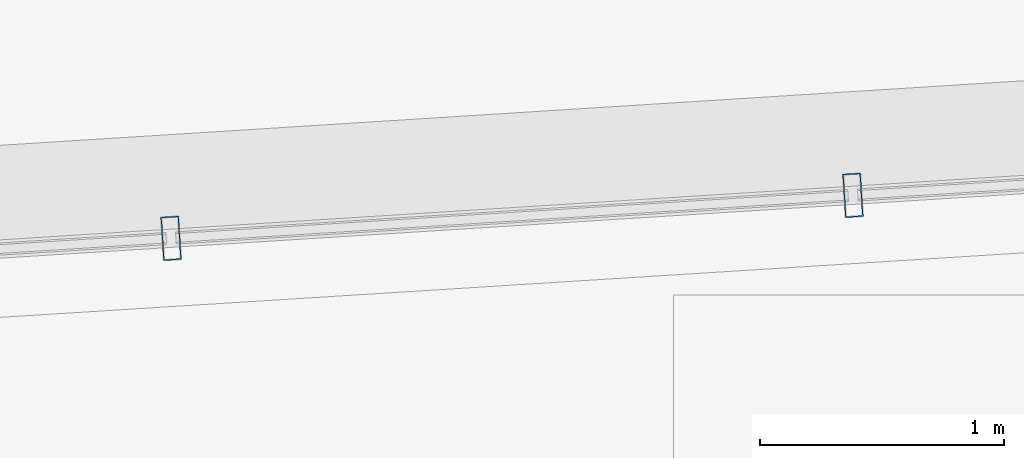
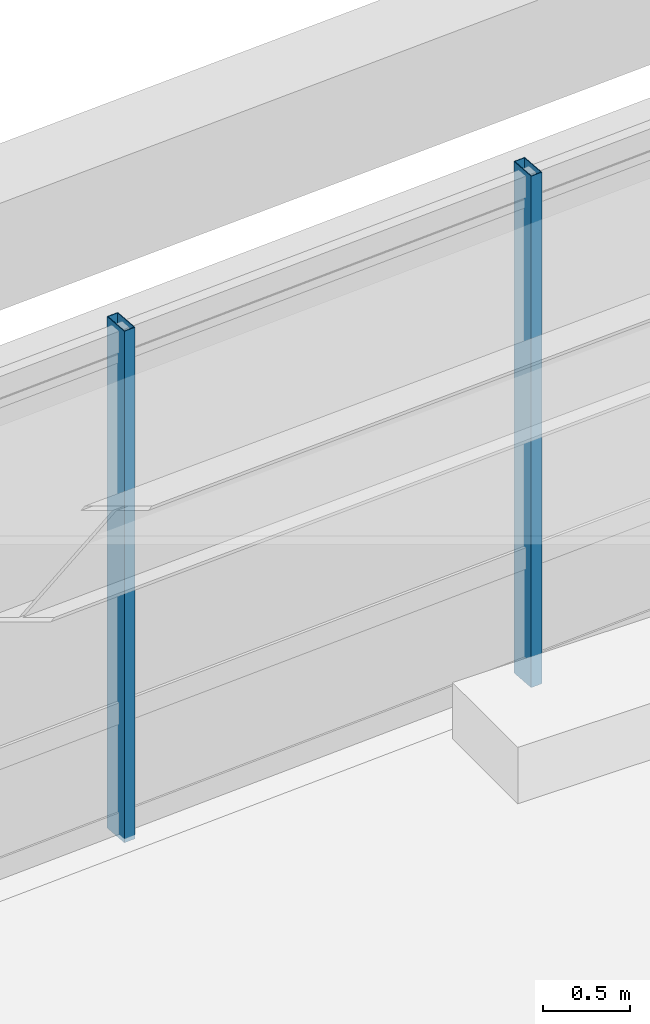
# One storey, part 10 of 20: 2 members, 1 element without a shape of its own.
"""IFC4 building model written with IfcOpenShell, lengths in metres."""

from ifc_helpers import new_model, si_unit, direction, frame, origin, origin_2d, place, context, subcontext, project, spatial, hollow_rectangle, extrude, material, material_profile, profile_set, type_object, element, aggregate, save


model = new_model("IFC4")

# Units and contexts
model_context = context("Model", 3, precision=1e-05, world=origin(), true_north=direction((0.0, 1.0)))
body_context = subcontext(model_context, "Body", "Model", "MODEL_VIEW")
ifc_project = project(units=[si_unit("LENGTHUNIT", "METRE"), si_unit("AREAUNIT", "SQUARE_METRE"), si_unit("VOLUMEUNIT", "CUBIC_METRE"), si_unit("PLANEANGLEUNIT", "RADIAN"), si_unit("MASSUNIT", "GRAM", prefix="KILO")], contexts=[model_context])

# Site, building, storey
site_placement = place(None, origin())
site = spatial("IfcSite", under=ifc_project, at=site_placement, CompositionType="ELEMENT")
building_placement = place(site_placement, origin())
building = spatial("IfcBuilding", under=site, at=building_placement, Name="Zulverin Broadcast Headquarters", CompositionType="ELEMENT")
storey_placement = place(building_placement, frame((0.0, 0.0, 25.0)))
storey = spatial("IfcBuildingStorey", under=building, at=storey_placement, Name="L05", CompositionType="ELEMENT", Elevation=25.0)

# Curtain wall, members
ifc_material_1 = material(Name="Low-zone ribbon unitised curtain wall", Category="aluminium")
curtain_wall_type = type_object("IfcCurtainWallType", Name="CW-TWR-LOW", PredefinedType="USERDEFINED", material=ifc_material_1)
curtain_wall_placement = place(storey_placement, origin())
curtain_wall = element("IfcCurtainWall", 1, at=curtain_wall_placement, inside=storey, type_object=curtain_wall_type, Name="L05 Unitised Curtain Wall CW-L05-E5", ObjectType="UNITISED CURTAIN WALL", PredefinedType="USERDEFINED")
ifc_material_2 = material(Name="Anodized pale-metal aluminium alloy 6063-T6", Category="aluminium")
ifc_material_profile = material_profile(ifc_material_2, hollow_rectangle(XDim=0.074951171875, YDim=0.179931640625, WallThickness=0.0048828125, at=origin_2d()), Name="Anodized pale-metal aluminium alloy 6063-T6", Category="aluminium")
ifc_profile_set = profile_set([ifc_material_profile], Name="Anodized pale-metal aluminium alloy 6063-T6")
member_type = type_object("IfcMemberType", Name="CW-MUL-180", PredefinedType="MULLION", material=ifc_profile_set)
member_1_placement = place(storey_placement, frame((36.635986328125, 48.38330078125, -0.030029296875), z_axis=(0.0, 0.0, 1.0), x_axis=(-0.998017621976, -0.062935095345, 0.0)))
member_1 = element("IfcMember", 2, at=member_1_placement, type_object=member_type, Name="CW-L05-E5 Mullion 04", PredefinedType="MULLION", context=body_context, shape_type="SweptSolid", body=[
    extrude(hollow_rectangle(XDim=0.074951171875, YDim=0.179931640625, WallThickness=0.0048828125, at=origin_2d()), origin(), (0.0, 0.0, 1.0), 3.5849609375),
])
member_2_placement = place(storey_placement, frame((33.83740234375, 48.206787109375, -0.030029296875), z_axis=(0.0, 0.0, 1.0), x_axis=(-0.998017621976, -0.062935095345, 0.0)))
member_2 = element("IfcMember", 3, at=member_2_placement, type_object=member_type, Name="CW-L05-E5 Mullion 05", PredefinedType="MULLION", context=body_context, shape_type="SweptSolid", body=[
    extrude(hollow_rectangle(XDim=0.074951171875, YDim=0.179931640625, WallThickness=0.0048828125, at=origin_2d()), origin(), (0.0, 0.0, 1.0), 3.5849609375),
])
aggregate(curtain_wall, [member_1, member_2])

save(model, "model.ifc")
